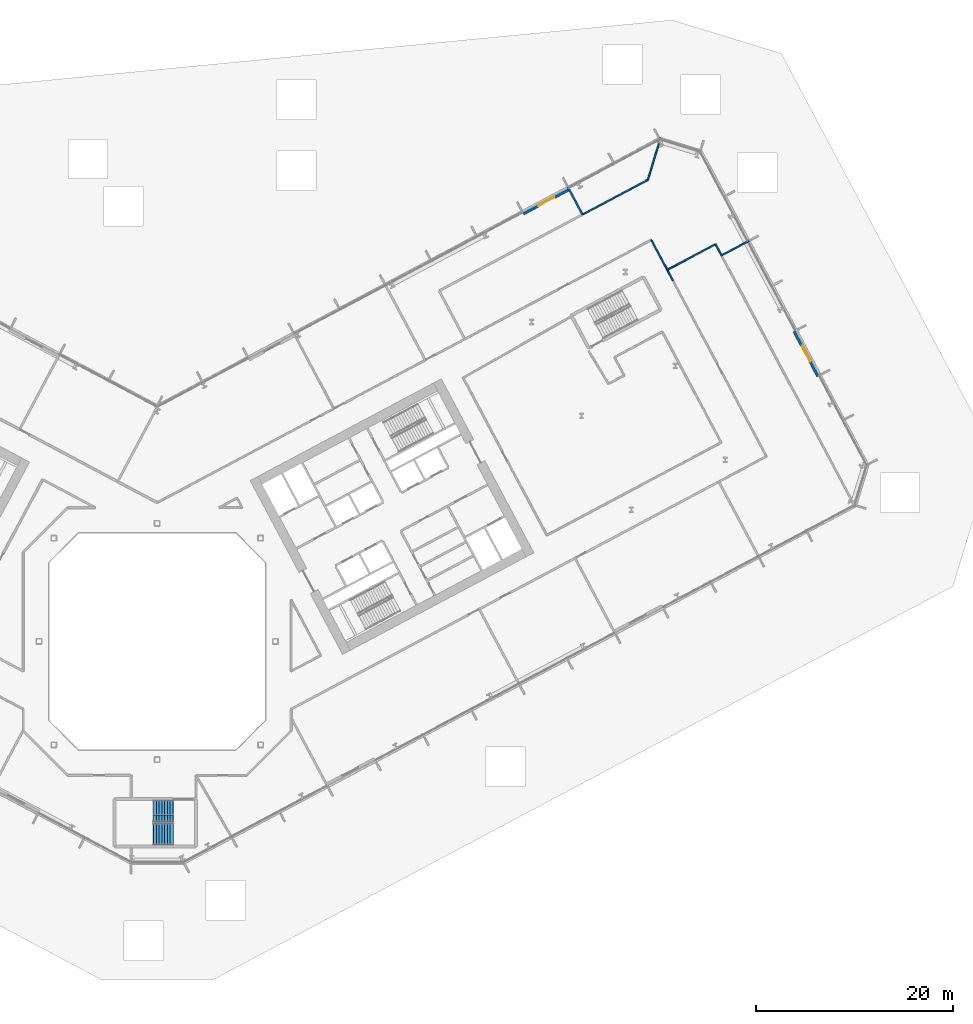
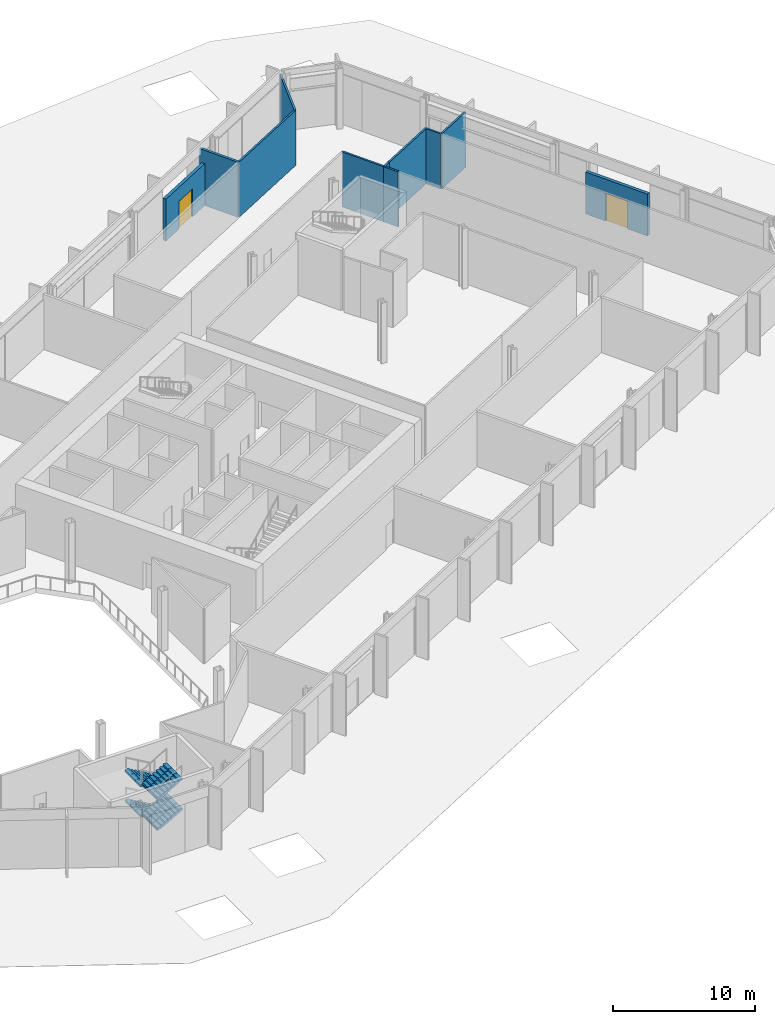
# One storey, part 17 of 30: 11 walls, 4 stair flights, 2 doors, 2 openings, 1 element without a shape of its own.
"""IFC4 building model written with IfcOpenShell, lengths in metres."""

from ifc_helpers import new_model, si_unit, direction, frame, frame_2d, origin, place, context, subcontext, project, spatial, polyline, rectangle, outline, extrude, material, layer, layer_set, type_object, element, fill, aggregate, save


model = new_model("IFC4")

# Units and contexts
model_context = context("Model", 3, precision=1e-05, world=origin(), true_north=direction((0.0, 1.0)))
body_context = subcontext(model_context, "Body", "Model", "MODEL_VIEW")
ifc_project = project(units=[si_unit("LENGTHUNIT", "METRE"), si_unit("AREAUNIT", "SQUARE_METRE"), si_unit("VOLUMEUNIT", "CUBIC_METRE"), si_unit("PLANEANGLEUNIT", "RADIAN"), si_unit("MASSUNIT", "GRAM", prefix="KILO")], contexts=[model_context])

# Site, building, storey
site_placement = place(None, origin())
site = spatial("IfcSite", under=ifc_project, at=site_placement, CompositionType="ELEMENT")
building_placement = place(site_placement, origin())
building = spatial("IfcBuilding", under=site, at=building_placement, Name="Cormorant Relay Tower", CompositionType="ELEMENT")
storey_placement = place(building_placement, frame((0.0, 0.0, 7.0)))
storey = spatial("IfcBuildingStorey", under=building, at=storey_placement, Name="L01", CompositionType="ELEMENT", Elevation=7.0)

# Wall
ifc_material_1 = material(Name="Fire-rated gypsum board partition")
ifc_layer_1 = layer(ifc_material_1, 0.199951171875)
ifc_layer_set_1 = layer_set([ifc_layer_1], Name="Fire-rated gypsum partition 200")
wall_type_1 = type_object("IfcWallType", Name="Fire-rated gypsum partition 200", PredefinedType="PARTITIONING", material=ifc_layer_set_1)
wall_1_placement = place(storey_placement, frame((41.68603515625, 46.175048828125, 0.0), z_axis=(0.0, 0.0, 1.0), x_axis=(0.469447181805, -0.882960556025, 0.0)))
element("IfcWall", 1, at=wall_1_placement, inside=storey, type_object=wall_type_1, Name="wall/L01/part/68", PredefinedType="PARTITIONING", context=body_context, shape_type="SweptSolid", body=[
    extrude(rectangle(XDim=3.199462890625, YDim=0.199951171875, at=frame_2d((1.599609375, 0.0))), origin(), (0.0, 0.0, 1.0), 4.75),
])

# Wall, opening, door
ifc_material_2 = material(Name="Bronze anodised aluminium cladding on steel stud", Category="steel")
ifc_layer_2 = layer(ifc_material_2, 0.25)
ifc_layer_set_2 = layer_set([ifc_layer_2], Name="Garden entrance wall 250")
wall_type_2 = type_object("IfcWallType", Name="Garden entrance wall 250", PredefinedType="STANDARD", material=ifc_layer_set_2)
wall_2_placement = place(storey_placement, frame((67.08349609375, 26.931884765625, 0.0), z_axis=(0.0, 0.0, 1.0), x_axis=(-0.469442125026, 0.882963244564, 0.0)))
wall_2 = element("IfcWall", 2, at=wall_2_placement, inside=storey, type_object=wall_type_2, Name="Garden entrance wall", PredefinedType="STANDARD", context=body_context, shape_type="SweptSolid", body=[
    extrude(rectangle(XDim=5.142822265625, YDim=0.25, at=frame_2d((2.5712890625, 0.0))), origin(), (0.0, 0.0, 1.0), 3.612060546875),
])
opening_1_placement = place(wall_2_placement, frame((1.67138671875, 0.0, 0.0)))
opening_1 = element("IfcOpeningElement", 3, at=opening_1_placement, cuts=wall_2, Name="Opening PD7-003", PredefinedType="OPENING", context=body_context, shape_type="SweptSolid", body=[
    extrude(rectangle(XDim=1.800048828125, YDim=2.39990234375, at=frame_2d((0.89990234375, 1.199951171875))), frame((0.0, 0.135009765625, 0.0), z_axis=(0.0, -1.0, 0.0), x_axis=(1.0, 0.0, 0.0)), (0.0, 0.0, 1.0), 0.27001953125),
])
ifc_material_3 = material(Name="Bronze framed glass door", Category="glass")
door_type = type_object("IfcDoorType", Name="Door garden glazed 1800", OperationType="DOUBLE_DOOR_SINGLE_SWING", PredefinedType="DOOR", material=ifc_material_3)
door_1_placement = place(opening_1_placement, origin())
door_1 = element("IfcDoor", 4, at=door_1_placement, inside=storey, type_object=door_type, Name="Garden door", OperationType="DOUBLE_DOOR_SINGLE_SWING", OverallHeight=2.39990234375, OverallWidth=1.800048828125, PredefinedType="DOOR", context=body_context, shape_type="SweptSolid", body=[
    extrude(rectangle(XDim=1.800048828125, YDim=2.39990234375, at=frame_2d((0.89990234375, 1.199951171875))), frame((0.0, 0.02490234375, 0.0), z_axis=(0.0, -1.0, 0.0), x_axis=(1.0, 0.0, 0.0)), (0.0, 0.0, 1.0), 0.050048828125),
])
fill(opening_1, door_1)

wall_3_placement = place(storey_placement, frame((41.838623046875, 45.888427734375, 0.0), z_axis=(0.0, 0.0, 1.0), x_axis=(-0.882946113264, -0.469474345488, 0.0)))
wall_3 = element("IfcWall", 5, at=wall_3_placement, inside=storey, type_object=wall_type_2, Name="Garden entrance wall", PredefinedType="STANDARD", context=body_context, shape_type="SweptSolid", body=[
    extrude(rectangle(XDim=5.257568359375, YDim=0.25, at=frame_2d((2.62890625, 0.0))), origin(), (0.0, 0.0, 1.0), 3.612060546875),
])
opening_2_placement = place(wall_3_placement, frame((1.728759765625, 0.0, 0.0)))
opening_2 = element("IfcOpeningElement", 6, at=opening_2_placement, cuts=wall_3, Name="Opening PD7-004", PredefinedType="OPENING", context=body_context, shape_type="SweptSolid", body=[
    extrude(rectangle(XDim=1.800048828125, YDim=2.39990234375, at=frame_2d((0.89990234375, 1.199951171875))), frame((0.0, 0.135009765625, 0.0), z_axis=(0.0, -1.0, 0.0), x_axis=(1.0, 0.0, 0.0)), (0.0, 0.0, 1.0), 0.27001953125),
])
door_2_placement = place(opening_2_placement, frame((1.800048828125, 0.0, 0.0), z_axis=(0.0, 0.0, 1.0), x_axis=(-1.0, 0.0, 0.0)))
door_2 = element("IfcDoor", 7, at=door_2_placement, inside=storey, type_object=door_type, Name="Garden door", OperationType="DOUBLE_DOOR_SINGLE_SWING", OverallHeight=2.39990234375, OverallWidth=1.800048828125, PredefinedType="DOOR", context=body_context, shape_type="SweptSolid", body=[
    extrude(rectangle(XDim=1.800048828125, YDim=2.39990234375, at=frame_2d((0.89990234375, 1.199951171875))), frame((0.0, 0.02490234375, 0.0), z_axis=(0.0, -1.0, 0.0), x_axis=(1.0, 0.0, 0.0)), (0.0, 0.0, 1.0), 0.050048828125),
])
fill(opening_2, door_2)

# Walls
ifc_material_4 = material(Name="Gypsum board partition")
ifc_layer_3 = layer(ifc_material_4, 0.14990234375)
ifc_layer_set_3 = layer_set([ifc_layer_3], Name="Gypsum board partition 150")
wall_type_3 = type_object("IfcWallType", Name="Gypsum board partition 150", PredefinedType="PARTITIONING", material=ifc_layer_set_3)
wall_4_placement = place(storey_placement, frame((50.177978515625, 40.781005859375, 0.0), z_axis=(0.0, 0.0, 1.0), x_axis=(0.469355564401, -0.883009260521, 0.0)))
element("IfcWall", 8, at=wall_4_placement, inside=storey, type_object=wall_type_3, Name="wall/L01/part/62", PredefinedType="PARTITIONING", context=body_context, shape_type="SweptSolid", body=[
    extrude(rectangle(XDim=3.445068359375, YDim=0.14990234375, at=frame_2d((1.72265625, 0.0))), origin(), (0.0, 0.0, 1.0), 4.75),
])
wall_5_placement = place(storey_placement, frame((43.18798828125, 43.35009765625, 0.0), z_axis=(0.0, 0.0, 1.0), x_axis=(0.882979828545, 0.469410931256, 0.0)))
element("IfcWall", 9, at=wall_5_placement, inside=storey, type_object=wall_type_3, Name="wall/L01/part/69", PredefinedType="PARTITIONING", context=body_context, shape_type="SweptSolid", body=[
    extrude(rectangle(XDim=7.515380859375, YDim=0.14990234375, at=frame_2d((3.7578125, 0.0))), origin(), (0.0, 0.0, 1.0), 4.75),
])
wall_6_placement = place(storey_placement, frame((49.823974609375, 46.8779296875, 0.0), z_axis=(0.0, 0.0, 1.0), x_axis=(0.29242717897, 0.956287794024, 0.0)))
element("IfcWall", 10, at=wall_6_placement, inside=storey, type_object=wall_type_3, Name="wall/L01/part/70", PredefinedType="PARTITIONING", context=body_context, shape_type="SweptSolid", body=[
    extrude(rectangle(XDim=4.458984375, YDim=0.14990234375, at=frame_2d((2.2294921875, 0.0))), origin(), (0.0, 0.0, 1.0), 4.75),
])
wall_7_placement = place(storey_placement, frame((51.794921875, 37.739013671875, 0.0), z_axis=(0.0, 0.0, 1.0), x_axis=(0.469473160434, -0.882946743373, 0.0)))
element("IfcWall", 11, at=wall_7_placement, inside=storey, type_object=wall_type_3, Name="wall/L01/part/79", PredefinedType="PARTITIONING", context=body_context, shape_type="SweptSolid", body=[
    extrude(rectangle(XDim=1.21630859375, YDim=0.14990234375, at=frame_2d((0.608154296875, 0.0))), origin(), (0.0, 0.0, 1.0), 4.75),
])
wall_8_placement = place(storey_placement, frame((52.35107421875, 38.029052734375, 0.0), z_axis=(0.0, 0.0, 1.0), x_axis=(0.882969925021, 0.469429559688, 0.0)))
element("IfcWall", 12, at=wall_8_placement, inside=storey, type_object=wall_type_3, Name="wall/L01/part/80", PredefinedType="PARTITIONING", context=body_context, shape_type="SweptSolid", body=[
    extrude(rectangle(XDim=4.923095703125, YDim=0.14990234375, at=frame_2d((2.46142578125, 0.0))), origin(), (0.0, 0.0, 1.0), 4.75),
])
wall_9_placement = place(storey_placement, frame((56.697998046875, 40.340087890625, 0.0), z_axis=(0.0, 0.0, 1.0), x_axis=(0.468946315527, -0.883226671446, 0.0)))
element("IfcWall", 13, at=wall_9_placement, inside=storey, type_object=wall_type_3, Name="wall/L01/part/81", PredefinedType="PARTITIONING", context=body_context, shape_type="SweptSolid", body=[
    extrude(rectangle(XDim=1.28173828125, YDim=0.14990234375, at=frame_2d((0.640869140625, 0.0))), origin(), (0.0, 0.0, 1.0), 4.75),
])
wall_10_placement = place(storey_placement, frame((51.798095703125, 37.73388671875, 0.0), z_axis=(0.0, 0.0, 1.0), x_axis=(0.882191163795, 0.470891442396, 0.0)))
element("IfcWall", 14, at=wall_10_placement, inside=storey, type_object=wall_type_3, Name="wall/L01/part/82", PredefinedType="PARTITIONING", context=body_context, shape_type="SweptSolid", body=[
    extrude(rectangle(XDim=0.626708984375, YDim=0.14990234375, at=frame_2d((0.3134765625, 0.0))), origin(), (0.0, 0.0, 1.0), 4.75),
])
wall_11_placement = place(storey_placement, frame((60.126953125, 40.70703125, 0.0), z_axis=(0.0, 0.0, 1.0), x_axis=(-0.883027796121, -0.469320691295, 0.0)))
element("IfcWall", 15, at=wall_11_placement, inside=storey, type_object=wall_type_3, Name="wall/L01/part/86", PredefinedType="PARTITIONING", context=body_context, shape_type="SweptSolid", body=[
    extrude(rectangle(XDim=3.2001953125, YDim=0.14990234375, at=frame_2d((1.60009765625, 0.0))), origin(), (0.0, 0.0, 1.0), 4.75),
])

# Stair, stair flights
ifc_material_5 = material(Name="Concrete 40 MPa", Category="concrete")
stair_type = type_object("IfcStairType", Name="Remote exit stair 2200", PredefinedType="HALF_TURN_STAIR", material=ifc_material_5)
stair_placement = place(storey_placement, origin())
stair = element("IfcStair", 16, at=stair_placement, inside=storey, type_object=stair_type, Name="L01 Stair", PredefinedType="HALF_TURN_STAIR")
ifc_material_6 = material(Name="Concrete 40 MPa", Category="concrete")
stair_flight_type = type_object("IfcStairFlightType", Name="Remote exit stair flight 2200", PredefinedType="STRAIGHT", material=ifc_material_6)
stair_flight_1_placement = place(storey_placement, frame((1.60009765625, -17.22509765625, 0.0), z_axis=(0.0, 0.0, 1.0), x_axis=(-1.0, 0.0, 0.0)))
stair_flight_1 = element("IfcStairFlight", 17, at=stair_flight_1_placement, type_object=stair_flight_type, Name="RK1 flight 1", NumberOfRisers=8, NumberOfTreads=7, PredefinedType="STRAIGHT", RiserHeight=0.1625, TreadLength=0.28, context=body_context, shape_type="SweptSolid", body=[
    extrude(outline(polyline([(-0.050048828125, -0.080078125), (-0.050048828125, 0.0), (0.0, 0.0), (0.0, 0.16259765625), (0.280029296875, 0.16259765625), (0.280029296875, 0.324951171875), (0.56005859375, 0.324951171875), (0.56005859375, 0.487548828125), (0.840087890625, 0.487548828125), (0.840087890625, 0.64990234375), (1.1201171875, 0.64990234375), (1.1201171875, 0.8125), (1.39990234375, 0.8125), (1.39990234375, 0.97509765625), (1.679931640625, 0.97509765625), (1.679931640625, 1.137451171875), (1.9599609375, 1.137451171875), (2.010009765625, 1.137451171875), (2.010009765625, 0.964111328125), (1.9599609375, 0.964111328125), (0.298583984375, 0.0), (-0.050048828125, -0.080078125)])), frame((0.0, 1.10009765625, 0.0), z_axis=(0.0, -1.0, 0.0), x_axis=(1.0, 0.0, 0.0)), (0.0, 0.0, 1.0), 0.719970703125),
    extrude(outline(polyline([(-0.050048828125, -0.080078125), (-0.050048828125, 0.0), (0.0, 0.0), (0.0, 0.16259765625), (0.280029296875, 0.16259765625), (0.280029296875, 0.324951171875), (0.56005859375, 0.324951171875), (0.56005859375, 0.487548828125), (0.840087890625, 0.487548828125), (0.840087890625, 0.64990234375), (1.1201171875, 0.64990234375), (1.1201171875, 0.8125), (1.39990234375, 0.8125), (1.39990234375, 0.97509765625), (1.679931640625, 0.97509765625), (1.679931640625, 1.137451171875), (1.9599609375, 1.137451171875), (2.010009765625, 1.137451171875), (2.010009765625, 0.964111328125), (1.9599609375, 0.964111328125), (0.298583984375, 0.0), (-0.050048828125, -0.080078125)])), frame((0.0, 0.360107421875, 0.0), z_axis=(0.0, -1.0, 0.0), x_axis=(1.0, 0.0, 0.0)), (0.0, 0.0, 1.0), 0.719970703125),
    extrude(outline(polyline([(-0.050048828125, -0.080078125), (-0.050048828125, 0.0), (0.0, 0.0), (0.0, 0.16259765625), (0.280029296875, 0.16259765625), (0.280029296875, 0.324951171875), (0.56005859375, 0.324951171875), (0.56005859375, 0.487548828125), (0.840087890625, 0.487548828125), (0.840087890625, 0.64990234375), (1.1201171875, 0.64990234375), (1.1201171875, 0.8125), (1.39990234375, 0.8125), (1.39990234375, 0.97509765625), (1.679931640625, 0.97509765625), (1.679931640625, 1.137451171875), (1.9599609375, 1.137451171875), (2.010009765625, 1.137451171875), (2.010009765625, 0.964111328125), (1.9599609375, 0.964111328125), (0.298583984375, 0.0), (-0.050048828125, -0.080078125)])), frame((0.0, -0.3798828125, 0.0), z_axis=(0.0, -1.0, 0.0), x_axis=(1.0, 0.0, 0.0)), (0.0, 0.0, 1.0), 0.719970703125),
])
stair_flight_2_placement = place(storey_placement, frame((-0.360107421875, -19.574951171875, 1.300048828125), z_axis=(0.0, 0.0, 1.0), x_axis=(1.0, 0.0, 0.0)))
stair_flight_2 = element("IfcStairFlight", 18, at=stair_flight_2_placement, type_object=stair_flight_type, Name="RK1 flight 2", NumberOfRisers=8, NumberOfTreads=7, PredefinedType="STRAIGHT", RiserHeight=0.1625, TreadLength=0.28, context=body_context, shape_type="SweptSolid", body=[
    extrude(outline(polyline([(-0.050048828125, -0.080078125), (-0.050048828125, 0.0), (0.0, 0.0), (0.0, 0.16259765625), (0.280029296875, 0.16259765625), (0.280029296875, 0.324951171875), (0.56005859375, 0.324951171875), (0.56005859375, 0.487548828125), (0.840087890625, 0.487548828125), (0.840087890625, 0.64990234375), (1.1201171875, 0.64990234375), (1.1201171875, 0.8125), (1.39990234375, 0.8125), (1.39990234375, 0.97509765625), (1.679931640625, 0.97509765625), (1.679931640625, 1.137451171875), (1.9599609375, 1.137451171875), (2.010009765625, 1.137451171875), (2.010009765625, 0.964111328125), (1.9599609375, 0.964111328125), (0.298583984375, 0.0), (-0.050048828125, -0.080078125)])), frame((0.0, 1.10009765625, 0.0), z_axis=(0.0, -1.0, 0.0), x_axis=(1.0, 0.0, 0.0)), (0.0, 0.0, 1.0), 0.719970703125),
    extrude(outline(polyline([(-0.050048828125, -0.080078125), (-0.050048828125, 0.0), (0.0, 0.0), (0.0, 0.16259765625), (0.280029296875, 0.16259765625), (0.280029296875, 0.324951171875), (0.56005859375, 0.324951171875), (0.56005859375, 0.487548828125), (0.840087890625, 0.487548828125), (0.840087890625, 0.64990234375), (1.1201171875, 0.64990234375), (1.1201171875, 0.8125), (1.39990234375, 0.8125), (1.39990234375, 0.97509765625), (1.679931640625, 0.97509765625), (1.679931640625, 1.137451171875), (1.9599609375, 1.137451171875), (2.010009765625, 1.137451171875), (2.010009765625, 0.964111328125), (1.9599609375, 0.964111328125), (0.298583984375, 0.0), (-0.050048828125, -0.080078125)])), frame((0.0, 0.360107421875, 0.0), z_axis=(0.0, -1.0, 0.0), x_axis=(1.0, 0.0, 0.0)), (0.0, 0.0, 1.0), 0.719970703125),
    extrude(outline(polyline([(-0.050048828125, -0.080078125), (-0.050048828125, 0.0), (0.0, 0.0), (0.0, 0.16259765625), (0.280029296875, 0.16259765625), (0.280029296875, 0.324951171875), (0.56005859375, 0.324951171875), (0.56005859375, 0.487548828125), (0.840087890625, 0.487548828125), (0.840087890625, 0.64990234375), (1.1201171875, 0.64990234375), (1.1201171875, 0.8125), (1.39990234375, 0.8125), (1.39990234375, 0.97509765625), (1.679931640625, 0.97509765625), (1.679931640625, 1.137451171875), (1.9599609375, 1.137451171875), (2.010009765625, 1.137451171875), (2.010009765625, 0.964111328125), (1.9599609375, 0.964111328125), (0.298583984375, 0.0), (-0.050048828125, -0.080078125)])), frame((0.0, -0.3798828125, 0.0), z_axis=(0.0, -1.0, 0.0), x_axis=(1.0, 0.0, 0.0)), (0.0, 0.0, 1.0), 0.719970703125),
])
stair_flight_3_placement = place(storey_placement, frame((1.60009765625, -17.22509765625, 2.60009765625), z_axis=(0.0, 0.0, 1.0), x_axis=(-1.0, 0.0, 0.0)))
stair_flight_3 = element("IfcStairFlight", 19, at=stair_flight_3_placement, type_object=stair_flight_type, Name="RK1 flight 3", NumberOfRisers=8, NumberOfTreads=7, PredefinedType="STRAIGHT", RiserHeight=0.1625, TreadLength=0.28, context=body_context, shape_type="SweptSolid", body=[
    extrude(outline(polyline([(-0.050048828125, -0.080078125), (-0.050048828125, 0.0), (0.0, 0.0), (0.0, 0.16259765625), (0.280029296875, 0.16259765625), (0.280029296875, 0.324951171875), (0.56005859375, 0.324951171875), (0.56005859375, 0.487548828125), (0.840087890625, 0.487548828125), (0.840087890625, 0.64990234375), (1.1201171875, 0.64990234375), (1.1201171875, 0.8125), (1.39990234375, 0.8125), (1.39990234375, 0.97509765625), (1.679931640625, 0.97509765625), (1.679931640625, 1.137451171875), (1.9599609375, 1.137451171875), (2.010009765625, 1.137451171875), (2.010009765625, 0.964111328125), (1.9599609375, 0.964111328125), (0.298583984375, 0.0), (-0.050048828125, -0.080078125)])), frame((0.0, 1.10009765625, 0.0), z_axis=(0.0, -1.0, 0.0), x_axis=(1.0, 0.0, 0.0)), (0.0, 0.0, 1.0), 0.719970703125),
    extrude(outline(polyline([(-0.050048828125, -0.080078125), (-0.050048828125, 0.0), (0.0, 0.0), (0.0, 0.16259765625), (0.280029296875, 0.16259765625), (0.280029296875, 0.324951171875), (0.56005859375, 0.324951171875), (0.56005859375, 0.487548828125), (0.840087890625, 0.487548828125), (0.840087890625, 0.64990234375), (1.1201171875, 0.64990234375), (1.1201171875, 0.8125), (1.39990234375, 0.8125), (1.39990234375, 0.97509765625), (1.679931640625, 0.97509765625), (1.679931640625, 1.137451171875), (1.9599609375, 1.137451171875), (2.010009765625, 1.137451171875), (2.010009765625, 0.964111328125), (1.9599609375, 0.964111328125), (0.298583984375, 0.0), (-0.050048828125, -0.080078125)])), frame((0.0, 0.360107421875, 0.0), z_axis=(0.0, -1.0, 0.0), x_axis=(1.0, 0.0, 0.0)), (0.0, 0.0, 1.0), 0.719970703125),
    extrude(outline(polyline([(-0.050048828125, -0.080078125), (-0.050048828125, 0.0), (0.0, 0.0), (0.0, 0.16259765625), (0.280029296875, 0.16259765625), (0.280029296875, 0.324951171875), (0.56005859375, 0.324951171875), (0.56005859375, 0.487548828125), (0.840087890625, 0.487548828125), (0.840087890625, 0.64990234375), (1.1201171875, 0.64990234375), (1.1201171875, 0.8125), (1.39990234375, 0.8125), (1.39990234375, 0.97509765625), (1.679931640625, 0.97509765625), (1.679931640625, 1.137451171875), (1.9599609375, 1.137451171875), (2.010009765625, 1.137451171875), (2.010009765625, 0.964111328125), (1.9599609375, 0.964111328125), (0.298583984375, 0.0), (-0.050048828125, -0.080078125)])), frame((0.0, -0.3798828125, 0.0), z_axis=(0.0, -1.0, 0.0), x_axis=(1.0, 0.0, 0.0)), (0.0, 0.0, 1.0), 0.719970703125),
])
stair_flight_4_placement = place(storey_placement, frame((-0.360107421875, -19.574951171875, 3.89990234375), z_axis=(0.0, 0.0, 1.0), x_axis=(1.0, 0.0, 0.0)))
stair_flight_4 = element("IfcStairFlight", 20, at=stair_flight_4_placement, type_object=stair_flight_type, Name="RK1 flight 4", NumberOfRisers=8, NumberOfTreads=7, PredefinedType="STRAIGHT", RiserHeight=0.1625, TreadLength=0.28, context=body_context, shape_type="SweptSolid", body=[
    extrude(outline(polyline([(-0.050048828125, -0.080078125), (-0.050048828125, 0.0), (0.0, 0.0), (0.0, 0.16259765625), (0.280029296875, 0.16259765625), (0.280029296875, 0.324951171875), (0.56005859375, 0.324951171875), (0.56005859375, 0.487548828125), (0.840087890625, 0.487548828125), (0.840087890625, 0.64990234375), (1.1201171875, 0.64990234375), (1.1201171875, 0.8125), (1.39990234375, 0.8125), (1.39990234375, 0.97509765625), (1.679931640625, 0.97509765625), (1.679931640625, 1.137451171875), (1.9599609375, 1.137451171875), (2.010009765625, 1.137451171875), (2.010009765625, 0.964111328125), (1.9599609375, 0.964111328125), (0.298583984375, 0.0), (-0.050048828125, -0.080078125)])), frame((0.0, 1.10009765625, 0.0), z_axis=(0.0, -1.0, 0.0), x_axis=(1.0, 0.0, 0.0)), (0.0, 0.0, 1.0), 0.719970703125),
    extrude(outline(polyline([(-0.050048828125, -0.080078125), (-0.050048828125, 0.0), (0.0, 0.0), (0.0, 0.16259765625), (0.280029296875, 0.16259765625), (0.280029296875, 0.324951171875), (0.56005859375, 0.324951171875), (0.56005859375, 0.487548828125), (0.840087890625, 0.487548828125), (0.840087890625, 0.64990234375), (1.1201171875, 0.64990234375), (1.1201171875, 0.8125), (1.39990234375, 0.8125), (1.39990234375, 0.97509765625), (1.679931640625, 0.97509765625), (1.679931640625, 1.137451171875), (1.9599609375, 1.137451171875), (2.010009765625, 1.137451171875), (2.010009765625, 0.964111328125), (1.9599609375, 0.964111328125), (0.298583984375, 0.0), (-0.050048828125, -0.080078125)])), frame((0.0, 0.360107421875, 0.0), z_axis=(0.0, -1.0, 0.0), x_axis=(1.0, 0.0, 0.0)), (0.0, 0.0, 1.0), 0.719970703125),
    extrude(outline(polyline([(-0.050048828125, -0.080078125), (-0.050048828125, 0.0), (0.0, 0.0), (0.0, 0.16259765625), (0.280029296875, 0.16259765625), (0.280029296875, 0.324951171875), (0.56005859375, 0.324951171875), (0.56005859375, 0.487548828125), (0.840087890625, 0.487548828125), (0.840087890625, 0.64990234375), (1.1201171875, 0.64990234375), (1.1201171875, 0.8125), (1.39990234375, 0.8125), (1.39990234375, 0.97509765625), (1.679931640625, 0.97509765625), (1.679931640625, 1.137451171875), (1.9599609375, 1.137451171875), (2.010009765625, 1.137451171875), (2.010009765625, 0.964111328125), (1.9599609375, 0.964111328125), (0.298583984375, 0.0), (-0.050048828125, -0.080078125)])), frame((0.0, -0.3798828125, 0.0), z_axis=(0.0, -1.0, 0.0), x_axis=(1.0, 0.0, 0.0)), (0.0, 0.0, 1.0), 0.719970703125),
])
aggregate(stair, [stair_flight_1, stair_flight_2, stair_flight_3, stair_flight_4])

save(model, "model.ifc")
